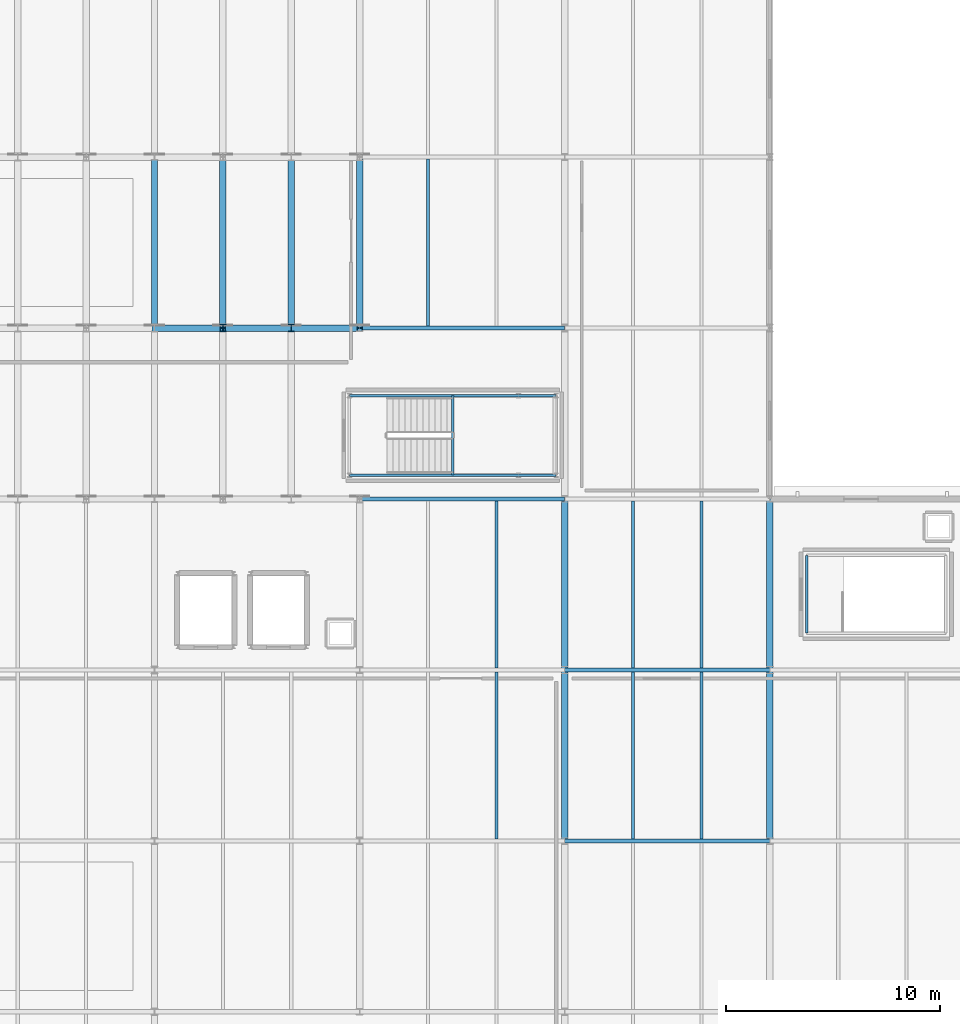
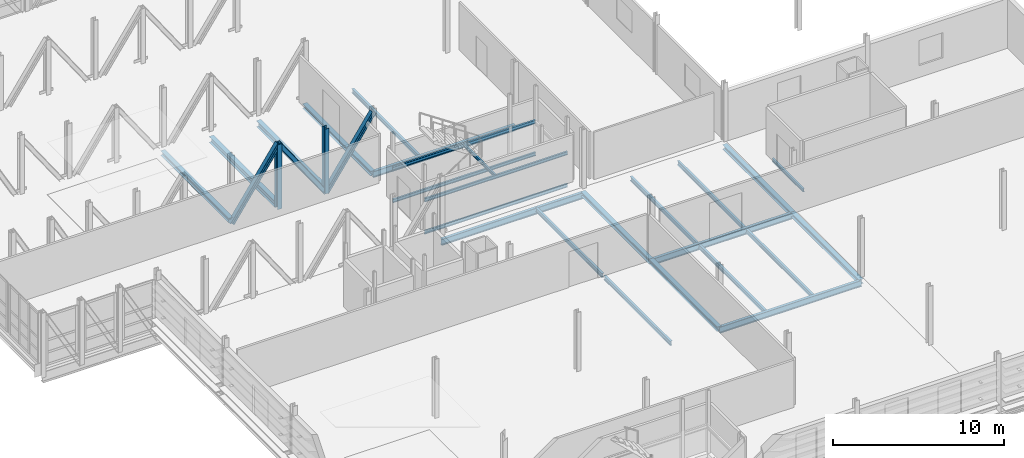
# One storey, part 21 of 73: 25 beams, 5 members.
"""IFC4 building model written with IfcOpenShell, lengths in metres."""

from ifc_helpers import new_model, si_unit, direction, frame, origin, origin_2d, place, context, subcontext, project, spatial, i_section, extrude, material, material_profile, profile_set, type_object, element, save


model = new_model("IFC4")

# Units and contexts
model_context = context("Model", 3, precision=1e-05, world=origin(), true_north=direction((0.0, 1.0)))
body_context = subcontext(model_context, "Body", "Model", "MODEL_VIEW")
ifc_project = project(units=[si_unit("LENGTHUNIT", "METRE"), si_unit("AREAUNIT", "SQUARE_METRE"), si_unit("VOLUMEUNIT", "CUBIC_METRE"), si_unit("PLANEANGLEUNIT", "RADIAN"), si_unit("MASSUNIT", "GRAM", prefix="KILO")], contexts=[model_context])

# Site, building, storey
site_placement = place(None, origin())
site = spatial("IfcSite", under=ifc_project, at=site_placement, CompositionType="ELEMENT")
building_placement = place(site_placement, origin())
building = spatial("IfcBuilding", under=site, at=building_placement, Name="Alderhovde Museum", CompositionType="ELEMENT")
storey_placement = place(building_placement, frame((0.0, 0.0, 12.89990234375)))
storey = spatial("IfcBuildingStorey", under=building, at=storey_placement, Name="L03", CompositionType="ELEMENT", Elevation=12.89990234375)

# Beams
ifc_material_1 = material(Name="Steel S355J2", Category="steel")
ifc_material_profile_1 = material_profile(ifc_material_1, i_section(OverallWidth=0.300048828125, OverallDepth=0.330078125, WebThickness=0.009521484375, FlangeThickness=0.0166015625, FilletRadius=0.027099609375, at=origin_2d()), Name="HEA 340")
ifc_profile_set_1 = profile_set([ifc_material_profile_1], Name="Steel S355J2")
beam_type_1 = type_object("IfcBeamType", Name="BM-HEA340", PredefinedType="BEAM", material=ifc_profile_set_1)
for number, where, z_axis, x_axis, name in (
    (1, (19.199951171875, 88.0, -0.48486328125), (0.0, 1.0, 0.0), (-1.0, 0.0, 0.0), "L03 Grid Beam X=19.2 (88.0 TO 96.0)"),
    (2, (28.800048828125, 88.0, -0.48486328125), (0.0, 1.0, 0.0), (-1.0, 0.0, 0.0), "L03 Grid Beam X=28.8 (88.0 TO 96.0)"),
    (3, (38.39990234375, 64.0, -0.4248046875), (0.0, 1.0, 0.0), (-1.0, 0.0, 0.0), "L03 Grid Beam X=38.4 (64.0 TO 72.0)"),
    (4, (38.39990234375, 72.0, -0.4248046875), (0.0, 1.0, 0.0), (-1.0, 0.0, 0.0), "L03 Grid Beam X=38.4 (72.0 TO 80.0)"),
    (5, (48.0, 64.0, -0.4248046875), (0.0, 1.0, 0.0), (-1.0, 0.0, 0.0), "L03 Grid Beam X=48.0 (64.0 TO 72.0)"),
    (6, (48.0, 72.0, -0.4248046875), (0.0, 1.0, 0.0), (-1.0, 0.0, 0.0), "L03 Grid Beam X=48.0 (72.0 TO 80.0)"),
):
    element("IfcBeam", number, at=place(storey_placement, frame(where, z_axis=z_axis, x_axis=x_axis)), inside=storey, type_object=beam_type_1, Name=name, PredefinedType="BEAM", context=body_context, shape_type="SweptSolid", body=[
        extrude(i_section(OverallWidth=0.300048828125, OverallDepth=0.330078125, WebThickness=0.009521484375, FlangeThickness=0.0166015625, FilletRadius=0.027099609375, at=origin_2d()), origin(), (0.0, 0.0, 1.0), 8.0),
    ])
ifc_material_2 = material(Name="Steel S355J2", Category="steel")
ifc_material_profile_2 = material_profile(ifc_material_2, i_section(OverallWidth=0.300048828125, OverallDepth=0.43994140625, WebThickness=0.011474609375, FlangeThickness=0.02099609375, FilletRadius=0.027099609375, at=origin_2d()), Name="HEA 450")
ifc_profile_set_2 = profile_set([ifc_material_profile_2], Name="Steel S355J2")
beam_type_2 = type_object("IfcBeamType", Name="BM-HEA450", PredefinedType="BEAM", material=ifc_profile_set_2)
for number, where, z_axis, x_axis, name in (
    (7, (22.39990234375, 88.14990234375, -0.539794921875), (0.0, 1.0, 0.0), (-1.0, 0.0, 0.0), "L03 Transfer Transverse Beam X=22.4"),
    (8, (25.60009765625, 88.14990234375, -0.539794921875), (0.0, 1.0, 0.0), (-1.0, 0.0, 0.0), "L03 Transfer Transverse Beam X=25.6"),
):
    element("IfcBeam", number, at=place(storey_placement, frame(where, z_axis=z_axis, x_axis=x_axis)), inside=storey, type_object=beam_type_2, Name=name, PredefinedType="BEAM", context=body_context, shape_type="SweptSolid", body=[
        extrude(i_section(OverallWidth=0.300048828125, OverallDepth=0.43994140625, WebThickness=0.011474609375, FlangeThickness=0.02099609375, FilletRadius=0.027099609375, at=origin_2d()), origin(), (0.0, 0.0, 1.0), 7.7001953125),
    ])
ifc_material_3 = material(Name="Steel S355J2", Category="steel")
ifc_material_profile_3 = material_profile(ifc_material_3, i_section(OverallWidth=0.1201171875, OverallDepth=0.239990234375, WebThickness=0.006103515625, FlangeThickness=0.009765625, FilletRadius=0.014892578125, at=origin_2d()), Name="IPE 240")
ifc_profile_set_3 = profile_set([ifc_material_profile_3], Name="Steel S355J2")
beam_type_3 = type_object("IfcBeamType", Name="BM-IPE240", PredefinedType="BEAM", material=ifc_profile_set_3)
for number, where, z_axis, x_axis, name in (
    (9, (28.320068359375, 81.1201171875, -0.3798828125), (1.0, 0.0, 0.0), (0.0, 1.0, 0.0), "L03 Stair ST2 Floor Trimmer S"),
    (10, (28.320068359375, 84.840087890625, -0.3798828125), (1.0, 0.0, 0.0), (0.0, 1.0, 0.0), "L03 Stair ST2 Floor Trimmer N"),
    (11, (28.320068359375, 81.1201171875, 1.93017578125), (1.0, 0.0, 0.0), (0.0, 1.0, 0.0), "L03 Stair ST2 Landing 1 Beam S"),
    (12, (28.320068359375, 84.840087890625, 1.93017578125), (1.0, 0.0, 0.0), (0.0, 1.0, 0.0), "L03 Stair ST2 Landing 1 Beam N"),
):
    element("IfcBeam", number, at=place(storey_placement, frame(where, z_axis=z_axis, x_axis=x_axis)), inside=storey, type_object=beam_type_3, Name=name, PredefinedType="BEAM", context=body_context, shape_type="SweptSolid", body=[
        extrude(i_section(OverallWidth=0.1201171875, OverallDepth=0.239990234375, WebThickness=0.006103515625, FlangeThickness=0.009765625, FilletRadius=0.014892578125, at=origin_2d()), origin(), (0.0, 0.0, 1.0), 9.679931640625),
    ])
beam_1_placement = place(storey_placement, frame((33.159912109375, 81.1201171875, 1.93017578125), z_axis=(0.0, 1.0, 0.0), x_axis=(-1.0, 0.0, 0.0)))
element("IfcBeam", 13, at=beam_1_placement, inside=storey, type_object=beam_type_3, Name="L03 Stair ST2 Landing 1 Beam W", PredefinedType="BEAM", context=body_context, shape_type="SweptSolid", body=[
    extrude(i_section(OverallWidth=0.1201171875, OverallDepth=0.239990234375, WebThickness=0.006103515625, FlangeThickness=0.009765625, FilletRadius=0.014892578125, at=origin_2d()), origin(), (0.0, 0.0, 1.0), 3.719970703125),
])
beam_2_placement = place(storey_placement, frame((49.719970703125, 73.719970703125, -0.3798828125), z_axis=(0.0, 1.0, 0.0), x_axis=(-1.0, 0.0, 0.0)))
element("IfcBeam", 14, at=beam_2_placement, inside=storey, type_object=beam_type_3, Name="L03 Stair ST6 Floor Trimmer W", PredefinedType="BEAM", context=body_context, shape_type="SweptSolid", body=[
    extrude(i_section(OverallWidth=0.1201171875, OverallDepth=0.239990234375, WebThickness=0.006103515625, FlangeThickness=0.009765625, FilletRadius=0.014892578125, at=origin_2d()), origin(), (0.0, 0.0, 1.0), 3.64013671875),
])
ifc_material_4 = material(Name="Steel S355J2", Category="steel")
ifc_material_profile_4 = material_profile(ifc_material_4, i_section(OverallWidth=0.18994140625, OverallDepth=0.449951171875, WebThickness=0.009521484375, FlangeThickness=0.0146484375, FilletRadius=0.02099609375, at=origin_2d()), Name="IPE 450")
ifc_profile_set_4 = profile_set([ifc_material_profile_4], Name="Steel S355J2")
beam_type_4 = type_object("IfcBeamType", Name="BM-IPE450", PredefinedType="BEAM", material=ifc_profile_set_4)
for number, where, z_axis, x_axis, name in (
    (15, (38.39990234375, 64.0, -0.48486328125), (1.0, 0.0, 0.0), (0.0, 1.0, 0.0), "L03 Grid Beam Y=64.0 (38.4 TO 48.0)"),
    (16, (38.39990234375, 72.0, -0.48486328125), (1.0, 0.0, 0.0), (0.0, 1.0, 0.0), "L03 Grid Beam Y=72.0 (38.4 TO 48.0)"),
):
    element("IfcBeam", number, at=place(storey_placement, frame(where, z_axis=z_axis, x_axis=x_axis)), inside=storey, type_object=beam_type_4, Name=name, PredefinedType="BEAM", context=body_context, shape_type="SweptSolid", body=[
        extrude(i_section(OverallWidth=0.18994140625, OverallDepth=0.449951171875, WebThickness=0.009521484375, FlangeThickness=0.0146484375, FilletRadius=0.02099609375, at=origin_2d()), origin(), (0.0, 0.0, 1.0), 9.60009765625),
    ])
for number, where, z_axis, x_axis, name in (
    (17, (28.800048828125, 80.0, -0.544921875), (1.0, 0.0, 0.0), (0.0, 1.0, 0.0), "L03 Grid Beam Y=80.0 (28.8 TO 38.4)"),
    (18, (28.800048828125, 88.0, -0.544921875), (1.0, 0.0, 0.0), (0.0, 1.0, 0.0), "L03 Grid Beam Y=88.0 (28.8 TO 38.4)"),
):
    element("IfcBeam", number, at=place(storey_placement, frame(where, z_axis=z_axis, x_axis=x_axis)), inside=storey, type_object=beam_type_4, Name=name, PredefinedType="BEAM", context=body_context, shape_type="SweptSolid", body=[
        extrude(i_section(OverallWidth=0.18994140625, OverallDepth=0.449951171875, WebThickness=0.009521484375, FlangeThickness=0.0146484375, FilletRadius=0.02099609375, at=origin_2d()), origin(), (0.0, 0.0, 1.0), 9.599853515625),
    ])
ifc_material_5 = material(Name="Steel S355J2", Category="steel")
ifc_material_profile_5 = material_profile(ifc_material_5, i_section(OverallWidth=0.14990234375, OverallDepth=0.300048828125, WebThickness=0.007080078125, FlangeThickness=0.0107421875, FilletRadius=0.014892578125, at=origin_2d()), Name="IPE 300")
ifc_profile_set_5 = profile_set([ifc_material_profile_5], Name="Steel S355J2")
beam_type_5 = type_object("IfcBeamType", Name="JST-IPE300", PredefinedType="JOIST", material=ifc_profile_set_5)
for number, where, z_axis, x_axis, name in (
    (19, (35.199951171875, 64.094970703125, -0.409912109375), (0.0, 1.0, 0.0), (-1.0, 0.0, 0.0), "L03 Composite Joist X=35.2 (64.0 TO 72.0)"),
    (20, (35.199951171875, 72.094970703125, -0.409912109375), (0.0, 1.0, 0.0), (-1.0, 0.0, 0.0), "L03 Composite Joist X=35.2 (72.0 TO 80.0)"),
    (21, (32.0, 88.094970703125, -0.469970703125), (0.0, 1.0, 0.0), (-1.0, 0.0, 0.0), "L03 Composite Joist X=32.0 (88.0 TO 96.0)"),
    (22, (41.60009765625, 64.094970703125, -0.409912109375), (0.0, 1.0, 0.0), (-1.0, 0.0, 0.0), "L03 Composite Joist X=41.6 (64.0 TO 72.0)"),
    (23, (44.800048828125, 64.094970703125, -0.409912109375), (0.0, 1.0, 0.0), (-1.0, 0.0, 0.0), "L03 Composite Joist X=44.8 (64.0 TO 72.0)"),
    (24, (41.60009765625, 72.094970703125, -0.409912109375), (0.0, 1.0, 0.0), (-1.0, 0.0, 0.0), "L03 Composite Joist X=41.6 (72.0 TO 80.0)"),
    (25, (44.800048828125, 72.094970703125, -0.409912109375), (0.0, 1.0, 0.0), (-1.0, 0.0, 0.0), "L03 Composite Joist X=44.8 (72.0 TO 80.0)"),
):
    element("IfcBeam", number, at=place(storey_placement, frame(where, z_axis=z_axis, x_axis=x_axis)), inside=storey, type_object=beam_type_5, Name=name, PredefinedType="JOIST", context=body_context, shape_type="SweptSolid", body=[
        extrude(i_section(OverallWidth=0.14990234375, OverallDepth=0.300048828125, WebThickness=0.007080078125, FlangeThickness=0.0107421875, FilletRadius=0.014892578125, at=origin_2d()), origin(), (0.0, 0.0, 1.0), 7.81005859375),
    ])

# Members
ifc_material_6 = material(Name="Steel S355J2", Category="steel")
ifc_material_profile_6 = material_profile(ifc_material_6, i_section(OverallWidth=0.300048828125, OverallDepth=0.300048828125, WebThickness=0.010986328125, FlangeThickness=0.01904296875, FilletRadius=0.027099609375, at=origin_2d()), Name="HEB 300")
ifc_profile_set_6 = profile_set([ifc_material_profile_6], Name="Steel S355J2")
member_type_1 = type_object("IfcMemberType", Name="TR-DG-HEB300", PredefinedType="STRUT", material=ifc_profile_set_6)
member_1_placement = place(storey_placement, frame((19.199951171875, 88.0, -0.719970703125), z_axis=(0.567715748774, 0.0, 0.823224652567), x_axis=(0.0, 1.0, 0.0)))
element("IfcMember", 26, at=member_1_placement, inside=storey, type_object=member_type_1, Name="Transfer Truss Y=88 T1 Diagonal 7", PredefinedType="STRUT", context=body_context, shape_type="SweptSolid", body=[
    extrude(i_section(OverallWidth=0.300048828125, OverallDepth=0.300048828125, WebThickness=0.010986328125, FlangeThickness=0.01904296875, FilletRadius=0.027099609375, at=origin_2d()), origin(), (0.0, 0.0, 1.0), 5.636474609375),
])
member_2_placement = place(storey_placement, frame((22.39990234375, 88.0, 3.920166015625), z_axis=(0.567745101494, 0.0, -0.823204409445), x_axis=(0.0, 1.0, 0.0)))
element("IfcMember", 27, at=member_2_placement, inside=storey, type_object=member_type_1, Name="Transfer Truss Y=88 T1 Diagonal 8", PredefinedType="STRUT", context=body_context, shape_type="SweptSolid", body=[
    extrude(i_section(OverallWidth=0.300048828125, OverallDepth=0.300048828125, WebThickness=0.010986328125, FlangeThickness=0.01904296875, FilletRadius=0.027099609375, at=origin_2d()), origin(), (0.0, 0.0, 1.0), 5.63671875),
])
member_3_placement = place(storey_placement, frame((25.60009765625, 88.0, -0.719970703125), z_axis=(0.567715748774, 0.0, 0.823224652567), x_axis=(0.0, 1.0, 0.0)))
element("IfcMember", 28, at=member_3_placement, inside=storey, type_object=member_type_1, Name="Transfer Truss Y=88 T1 Diagonal 9", PredefinedType="STRUT", context=body_context, shape_type="SweptSolid", body=[
    extrude(i_section(OverallWidth=0.300048828125, OverallDepth=0.300048828125, WebThickness=0.010986328125, FlangeThickness=0.01904296875, FilletRadius=0.027099609375, at=origin_2d()), origin(), (0.0, 0.0, 1.0), 5.636474609375),
])
ifc_material_7 = material(Name="Steel S355J2", Category="steel")
ifc_material_profile_7 = material_profile(ifc_material_7, i_section(OverallWidth=0.300048828125, OverallDepth=0.340087890625, WebThickness=0.011962890625, FlangeThickness=0.021484375, FilletRadius=0.027099609375, at=origin_2d()), Name="HEB 340")
ifc_profile_set_7 = profile_set([ifc_material_profile_7], Name="Steel S355J2")
member_type_2 = type_object("IfcMemberType", Name="TR-PS-HEB340", PredefinedType="POST", material=ifc_profile_set_7)
for number, where, z_axis, x_axis, name in (
    (29, (22.39990234375, 88.0, -0.719970703125), (0.0, 0.0, 1.0), (1.0, 0.0, 0.0), "Transfer Truss Y=88 T1 Post 8"),
    (30, (25.60009765625, 88.0, -0.719970703125), (0.0, 0.0, 1.0), (1.0, 0.0, 0.0), "Transfer Truss Y=88 T1 Post 9"),
):
    element("IfcMember", number, at=place(storey_placement, frame(where, z_axis=z_axis, x_axis=x_axis)), inside=storey, type_object=member_type_2, Name=name, PredefinedType="POST", context=body_context, shape_type="SweptSolid", body=[
        extrude(i_section(OverallWidth=0.300048828125, OverallDepth=0.340087890625, WebThickness=0.011962890625, FlangeThickness=0.021484375, FilletRadius=0.027099609375, at=origin_2d()), origin(), (0.0, 0.0, 1.0), 4.64013671875),
    ])

save(model, "model.ifc")
